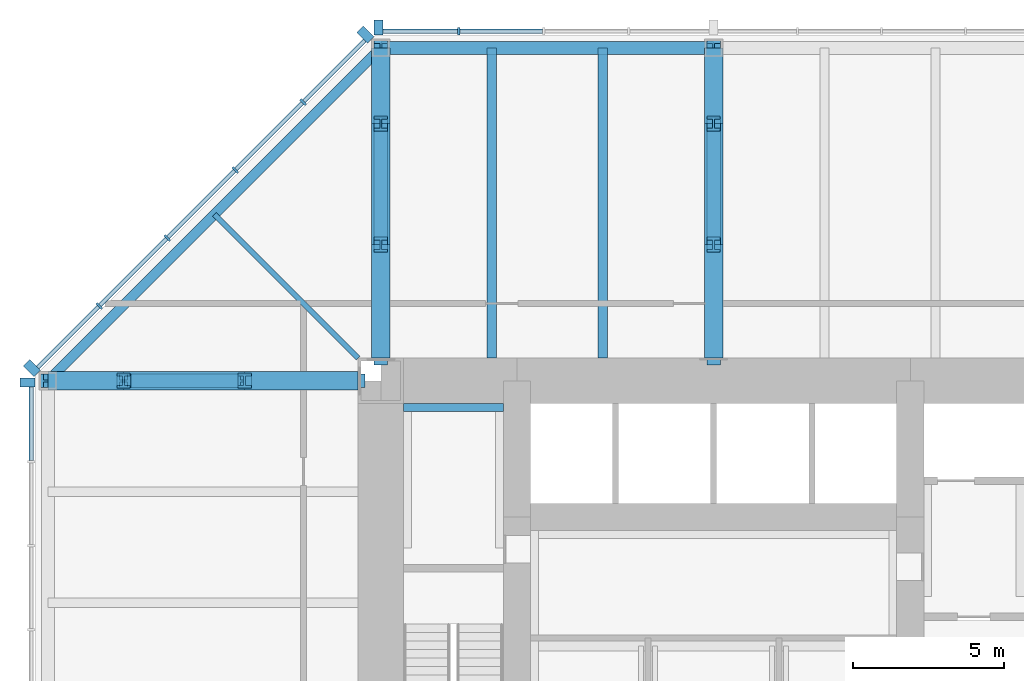
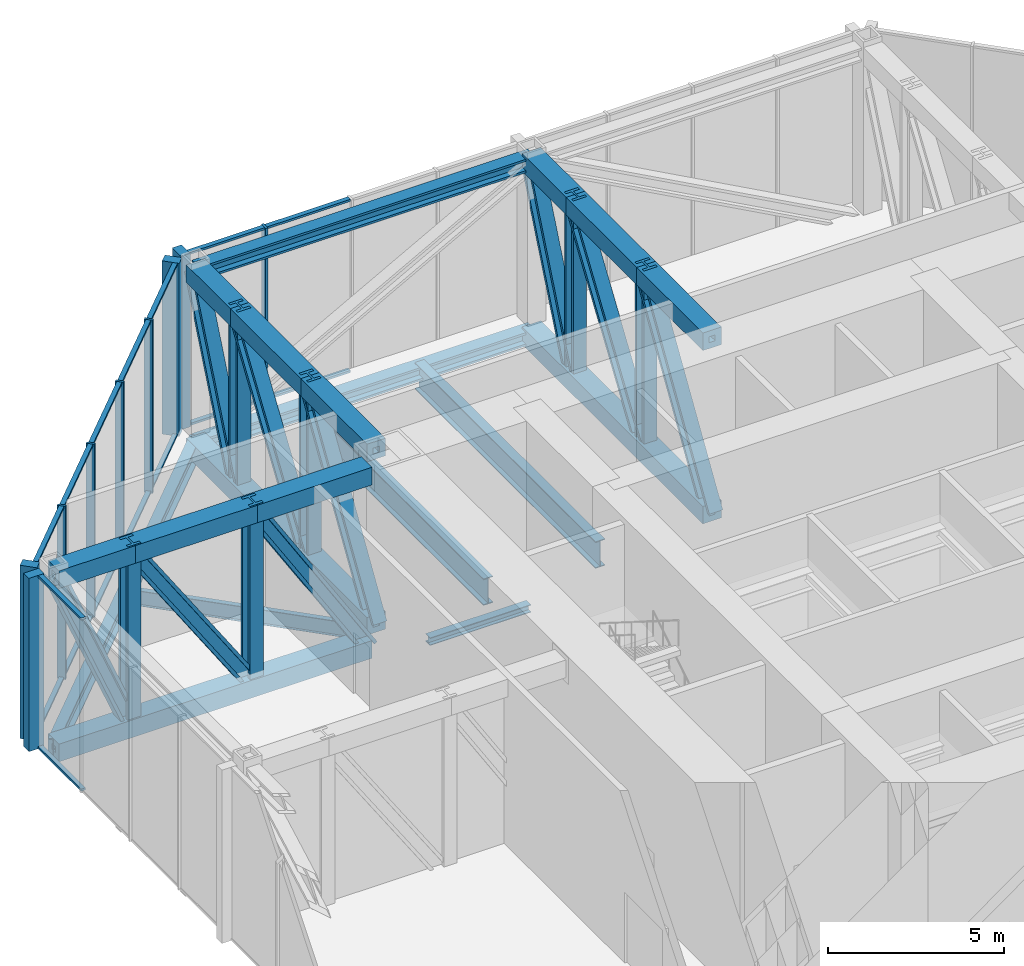
# One storey, part 6 of 11: 40 members, 19 beams, 3 elements without a shape of their own.
"""IFC4 building model written with IfcOpenShell, lengths in metres."""

from ifc_helpers import new_model, si_unit, direction, frame, origin, origin_2d, place, context, subcontext, project, spatial, rectangle, hollow_rectangle, i_section, extrude, material, material_profile, profile_set, type_object, element, aggregate, save


model = new_model("IFC4")

# Units and contexts
model_context = context("Model", 3, precision=1e-05, world=origin(), true_north=direction((0.0, 1.0)))
body_context = subcontext(model_context, "Body", "Model", "MODEL_VIEW")
ifc_project = project(units=[si_unit("LENGTHUNIT", "METRE"), si_unit("AREAUNIT", "SQUARE_METRE"), si_unit("VOLUMEUNIT", "CUBIC_METRE"), si_unit("PLANEANGLEUNIT", "RADIAN"), si_unit("MASSUNIT", "GRAM", prefix="KILO")], contexts=[model_context])

# Site, building, storey
site_placement = place(None, origin())
site = spatial("IfcSite", under=ifc_project, at=site_placement, CompositionType="ELEMENT")
building_placement = place(site_placement, origin())
building = spatial("IfcBuilding", under=site, at=building_placement, Name="Trevanion Tower", CompositionType="ELEMENT")
storey_placement = place(building_placement, frame((0.0, 0.0, 178.699951171875)))
storey = spatial("IfcBuildingStorey", under=building, at=storey_placement, Name="L42", CompositionType="ELEMENT", Elevation=178.699951171875)

# Beams
ifc_material_1 = material(Name="Steel ASTM A992 Grade 50", Category="steel")
ifc_material_profile_1 = material_profile(ifc_material_1, i_section(OverallWidth=0.1650390625, OverallDepth=0.52587890625, WebThickness=0.0087890625, FlangeThickness=0.011474609375, at=origin_2d()), Name="W21X44")
ifc_profile_set_1 = profile_set([ifc_material_profile_1], Name="Steel ASTM A992 Grade 50")
beam_type_1 = type_object("IfcBeamType", Name="B10 W21X44", PredefinedType="BEAM", material=ifc_profile_set_1)
beam_1_placement = place(storey_placement, frame((-11.75, 11.75, -0.452880859375), z_axis=(-0.707106781187, 0.707106781187, 0.0), x_axis=(-0.707106781187, -0.707106781187, 0.0)))
element("IfcBeam", 1, at=beam_1_placement, inside=storey, type_object=beam_type_1, Name="B10 L42", PredefinedType="BEAM", context=body_context, shape_type="SweptSolid", body=[
    extrude(i_section(OverallWidth=0.1650390625, OverallDepth=0.52587890625, WebThickness=0.0087890625, FlangeThickness=0.011474609375, at=origin_2d()), origin(), (0.0, 0.0, 1.0), 6.717529296875),
])
ifc_material_2 = material(Name="Steel ASTM A992 Grade 50", Category="steel")
ifc_material_profile_2 = material_profile(ifc_material_2, i_section(OverallWidth=0.307373046875, OverallDepth=0.922119140625, WebThickness=0.018310546875, FlangeThickness=0.030029296875, at=origin_2d()), Name="W36X182")
ifc_profile_set_2 = profile_set([ifc_material_profile_2], Name="Steel ASTM A992 Grade 50")
beam_type_2 = type_object("IfcBeamType", Name="B9 W36X182", PredefinedType="BEAM", material=ifc_profile_set_2)
for number, where, z_axis, x_axis, name in (
    (2, (-3.666748046875, 11.75, -0.65087890625), (0.0, 1.0, 0.0), (-1.0, 0.0, 0.0), "B9 L42"),
    (3, (-7.333251953125, 11.75, -0.65087890625), (0.0, 1.0, 0.0), (-1.0, 0.0, 0.0), "B9 L42"),
):
    element("IfcBeam", number, at=place(storey_placement, frame(where, z_axis=z_axis, x_axis=x_axis)), inside=storey, type_object=beam_type_2, Name=name, PredefinedType="BEAM", context=body_context, shape_type="SweptSolid", body=[
        extrude(i_section(OverallWidth=0.307373046875, OverallDepth=0.922119140625, WebThickness=0.018310546875, FlangeThickness=0.030029296875, at=origin_2d()), origin(), (0.0, 0.0, 1.0), 10.25),
    ])
ifc_material_3 = material(Name="Steel ASTM A992 Grade 50", Category="steel")
ifc_material_profile_3 = material_profile(ifc_material_3, i_section(OverallWidth=0.421630859375, OverallDepth=0.46484375, WebThickness=0.044921875, FlangeThickness=0.072509765625, at=origin_2d()), Name="W14X398")
ifc_profile_set_3 = profile_set([ifc_material_profile_3], Name="Steel ASTM A992 Grade 50")
beam_type_3 = type_object("IfcBeamType", Name="BT2-CH W14X398", PredefinedType="BEAM", material=ifc_profile_set_3)
for number, where, z_axis, x_axis, name in (
    (4, (0.0, 22.0, -0.494873046875), (-1.0, 0.0, 0.0), (0.0, -1.0, 0.0), "BT2 belt truss chord"),
    (5, (0.0, 22.0, 5.505126953125), (-1.0, 0.0, 0.0), (0.0, -1.0, 0.0), "BT2 belt truss chord"),
):
    element("IfcBeam", number, at=place(storey_placement, frame(where, z_axis=z_axis, x_axis=x_axis)), inside=storey, type_object=beam_type_3, Name=name, PredefinedType="BEAM", context=body_context, shape_type="SweptSolid", body=[
        extrude(i_section(OverallWidth=0.421630859375, OverallDepth=0.46484375, WebThickness=0.044921875, FlangeThickness=0.072509765625, at=origin_2d()), origin(), (0.0, 0.0, 1.0), 11.0),
    ])

# Curtain wall, member
ifc_material_4 = material(Name="Aluminium louvres", Category="aluminium")
curtain_wall_type = type_object("IfcCurtainWallType", Name="CWL curtain wall", PredefinedType="USERDEFINED", material=ifc_material_4)
curtain_wall_1_placement = place(storey_placement, origin())
curtain_wall_1 = element("IfcCurtainWall", 6, at=curtain_wall_1_placement, inside=storey, type_object=curtain_wall_type, Name="CWL L42 2", ObjectType="LOUVRE SCREEN", PredefinedType="USERDEFINED")
ifc_material_5 = material(Name="Aluminium extrusion, anodised bronze", Category="aluminium")
ifc_material_profile_4 = material_profile(ifc_material_5, rectangle(XDim=0.074951171875, YDim=0.25, at=origin_2d()), Name="CWL mullion")
ifc_profile_set_4 = profile_set([ifc_material_profile_4], Name="Aluminium extrusion, anodised bronze")
member_type_1 = type_object("IfcMemberType", Name="CWL mullion", PredefinedType="MULLION", material=ifc_profile_set_4)
member_1_placement = place(storey_placement, frame((-8.4208984375, 22.550048828125, -0.18994140625), z_axis=(0.0, 0.0, 1.0), x_axis=(-1.0, 0.0, 0.0)))
member_1 = element("IfcMember", 7, at=member_1_placement, type_object=member_type_1, Name="CWL mullion 8", PredefinedType="MULLION", context=body_context, shape_type="SweptSolid", body=[
    extrude(rectangle(XDim=0.074951171875, YDim=0.25, at=origin_2d()), origin(), (0.0, 0.0, 1.0), 6.0),
])

# Curtain wall, members
curtain_wall_2_placement = place(storey_placement, origin())
curtain_wall_2 = element("IfcCurtainWall", 8, at=curtain_wall_2_placement, inside=storey, type_object=curtain_wall_type, Name="CWL L42 3", ObjectType="LOUVRE SCREEN", PredefinedType="USERDEFINED")
member_2_placement = place(storey_placement, frame((-13.56591796875, 20.2119140625, -0.18994140625), z_axis=(0.0, 0.0, 1.0), x_axis=(-0.707106781187, -0.707106781187, 0.0)))
member_2 = element("IfcMember", 9, at=member_2_placement, type_object=member_type_1, Name="CWL mullion 2", PredefinedType="MULLION", context=body_context, shape_type="SweptSolid", body=[
    extrude(rectangle(XDim=0.074951171875, YDim=0.25, at=origin_2d()), origin(), (0.0, 0.0, 1.0), 6.0),
])
member_3_placement = place(storey_placement, frame((-15.811767578125, 17.966064453125, -0.18994140625), z_axis=(0.0, 0.0, 1.0), x_axis=(-0.707106781187, -0.707106781187, 0.0)))
member_3 = element("IfcMember", 10, at=member_3_placement, type_object=member_type_1, Name="CWL mullion 3", PredefinedType="MULLION", context=body_context, shape_type="SweptSolid", body=[
    extrude(rectangle(XDim=0.074951171875, YDim=0.25, at=origin_2d()), origin(), (0.0, 0.0, 1.0), 6.0),
])
member_4_placement = place(storey_placement, frame((-18.057861328125, 15.719970703125, -0.18994140625), z_axis=(0.0, 0.0, 1.0), x_axis=(-0.707106781187, -0.707106781187, 0.0)))
member_4 = element("IfcMember", 11, at=member_4_placement, type_object=member_type_1, Name="CWL mullion 4", PredefinedType="MULLION", context=body_context, shape_type="SweptSolid", body=[
    extrude(rectangle(XDim=0.074951171875, YDim=0.25, at=origin_2d()), origin(), (0.0, 0.0, 1.0), 6.0),
])
member_5_placement = place(storey_placement, frame((-20.303955078125, 13.473876953125, -0.18994140625), z_axis=(0.0, 0.0, 1.0), x_axis=(-0.707106781187, -0.707106781187, 0.0)))
member_5 = element("IfcMember", 12, at=member_5_placement, type_object=member_type_1, Name="CWL mullion 5", PredefinedType="MULLION", context=body_context, shape_type="SweptSolid", body=[
    extrude(rectangle(XDim=0.074951171875, YDim=0.25, at=origin_2d()), origin(), (0.0, 0.0, 1.0), 6.0),
])

# Member
ifc_material_6 = material(Name="Aluminium extrusion, anodised bronze", Category="aluminium")
ifc_material_profile_5 = material_profile(ifc_material_6, rectangle(XDim=0.300048828125, YDim=0.5, at=origin_2d()), Name="CWL pier mullion")
ifc_profile_set_5 = profile_set([ifc_material_profile_5], Name="Aluminium extrusion, anodised bronze")
member_type_2 = type_object("IfcMemberType", Name="CWL pier mullion", PredefinedType="MULLION", material=ifc_profile_set_5)
member_6_placement = place(storey_placement, frame((-11.077880859375, 22.675048828125, -0.18994140625), z_axis=(0.0, 0.0, 1.0), x_axis=(-1.0, 0.0, 0.0)))
member_6 = element("IfcMember", 13, at=member_6_placement, type_object=member_type_2, Name="CWL pier mullion 9", PredefinedType="MULLION", context=body_context, shape_type="SweptSolid", body=[
    extrude(rectangle(XDim=0.300048828125, YDim=0.5, at=origin_2d()), origin(), (0.0, 0.0, 1.0), 6.0),
])

member_7_placement = place(storey_placement, frame((-11.51416015625, 22.4404296875, -0.18994140625), z_axis=(0.0, 0.0, 1.0), x_axis=(-0.707106781187, -0.707106781187, 0.0)))
member_7 = element("IfcMember", 14, at=member_7_placement, type_object=member_type_2, Name="CWL pier mullion 1", PredefinedType="MULLION", context=body_context, shape_type="SweptSolid", body=[
    extrude(rectangle(XDim=0.300048828125, YDim=0.5, at=origin_2d()), origin(), (0.0, 0.0, 1.0), 6.0),
])

member_8_placement = place(storey_placement, frame((-22.5322265625, 11.42236328125, -0.18994140625), z_axis=(0.0, 0.0, 1.0), x_axis=(-0.707106781187, -0.707106781187, 0.0)))
member_8 = element("IfcMember", 15, at=member_8_placement, type_object=member_type_2, Name="CWL pier mullion 6", PredefinedType="MULLION", context=body_context, shape_type="SweptSolid", body=[
    extrude(rectangle(XDim=0.300048828125, YDim=0.5, at=origin_2d()), origin(), (0.0, 0.0, 1.0), 6.0),
])

# Curtain wall, member
curtain_wall_3_placement = place(storey_placement, origin())
curtain_wall_3 = element("IfcCurtainWall", 16, at=curtain_wall_3_placement, inside=storey, type_object=curtain_wall_type, Name="CWL L42 4", ObjectType="LOUVRE SCREEN", PredefinedType="USERDEFINED")
member_9_placement = place(storey_placement, frame((-22.675048828125, 10.94775390625, -0.18994140625), z_axis=(0.0, 0.0, 1.0), x_axis=(0.0, -1.0, 0.0)))
member_9 = element("IfcMember", 17, at=member_9_placement, type_object=member_type_2, Name="CWL pier mullion 1", PredefinedType="MULLION", context=body_context, shape_type="SweptSolid", body=[
    extrude(rectangle(XDim=0.300048828125, YDim=0.5, at=origin_2d()), origin(), (0.0, 0.0, 1.0), 6.0),
])

# Member
ifc_material_7 = material(Name="Aluminium extrusion, anodised bronze", Category="aluminium")
ifc_material_profile_6 = material_profile(ifc_material_7, rectangle(XDim=0.14990234375, YDim=0.074951171875, at=origin_2d()), Name="CWL transom")
ifc_profile_set_6 = profile_set([ifc_material_profile_6], Name="Aluminium extrusion, anodised bronze")
member_type_3 = type_object("IfcMemberType", Name="CWL transom", PredefinedType="USERDEFINED", material=ifc_profile_set_6)
member_10_placement = place(storey_placement, frame((-5.6513671875, 22.550048828125, -0.15234375), z_axis=(-1.0, 0.0, 0.0), x_axis=(0.0, -1.0, 0.0)))
member_10 = element("IfcMember", 18, at=member_10_placement, type_object=member_type_3, Name="CWL transom 7.1", ObjectType="TRANSOM", PredefinedType="USERDEFINED", context=body_context, shape_type="SweptSolid", body=[
    extrude(rectangle(XDim=0.14990234375, YDim=0.074951171875, at=origin_2d()), origin(), (0.0, 0.0, 1.0), 2.73193359375),
])

member_11_placement = place(storey_placement, frame((-5.6513671875, 22.550048828125, 5.7724609375), z_axis=(-1.0, 0.0, 0.0), x_axis=(0.0, -1.0, 0.0)))
member_11 = element("IfcMember", 19, at=member_11_placement, type_object=member_type_3, Name="CWL transom 7.2", ObjectType="TRANSOM", PredefinedType="USERDEFINED", context=body_context, shape_type="SweptSolid", body=[
    extrude(rectangle(XDim=0.14990234375, YDim=0.074951171875, at=origin_2d()), origin(), (0.0, 0.0, 1.0), 2.73193359375),
])

member_12_placement = place(storey_placement, frame((-8.45849609375, 22.550048828125, -0.15234375), z_axis=(-1.0, 0.0, 0.0), x_axis=(0.0, -1.0, 0.0)))
member_12 = element("IfcMember", 20, at=member_12_placement, type_object=member_type_3, Name="CWL transom 8.1", ObjectType="TRANSOM", PredefinedType="USERDEFINED", context=body_context, shape_type="SweptSolid", body=[
    extrude(rectangle(XDim=0.14990234375, YDim=0.074951171875, at=origin_2d()), origin(), (0.0, 0.0, 1.0), 2.46923828125),
])

member_13_placement = place(storey_placement, frame((-8.45849609375, 22.550048828125, 5.7724609375), z_axis=(-1.0, 0.0, 0.0), x_axis=(0.0, -1.0, 0.0)))
member_13 = element("IfcMember", 21, at=member_13_placement, type_object=member_type_3, Name="CWL transom 8.2", ObjectType="TRANSOM", PredefinedType="USERDEFINED", context=body_context, shape_type="SweptSolid", body=[
    extrude(rectangle(XDim=0.14990234375, YDim=0.074951171875, at=origin_2d()), origin(), (0.0, 0.0, 1.0), 2.46923828125),
])

aggregate(curtain_wall_1, [member_1, member_6, member_10, member_11, member_12, member_13])

member_14_placement = place(storey_placement, frame((-11.531982421875, 22.245849609375, -0.15234375), z_axis=(-0.707106781187, -0.707106781187, 0.0), x_axis=(0.707106781187, -0.707106781187, 0.0)))
member_14 = element("IfcMember", 22, at=member_14_placement, type_object=member_type_3, Name="CWL transom 1.1", ObjectType="TRANSOM", PredefinedType="USERDEFINED", context=body_context, shape_type="SweptSolid", body=[
    extrude(rectangle(XDim=0.14990234375, YDim=0.074951171875, at=origin_2d()), origin(), (0.0, 0.0, 1.0), 2.8388671875),
])

member_15_placement = place(storey_placement, frame((-11.531982421875, 22.245849609375, 5.7724609375), z_axis=(-0.707106781187, -0.707106781187, 0.0), x_axis=(0.707106781187, -0.707106781187, 0.0)))
member_15 = element("IfcMember", 23, at=member_15_placement, type_object=member_type_3, Name="CWL transom 1.2", ObjectType="TRANSOM", PredefinedType="USERDEFINED", context=body_context, shape_type="SweptSolid", body=[
    extrude(rectangle(XDim=0.14990234375, YDim=0.074951171875, at=origin_2d()), origin(), (0.0, 0.0, 1.0), 2.8388671875),
])

member_16_placement = place(storey_placement, frame((-13.59228515625, 20.185546875, -0.15234375), z_axis=(-0.707106781187, -0.707106781187, 0.0), x_axis=(0.707106781187, -0.707106781187, 0.0)))
member_16 = element("IfcMember", 24, at=member_16_placement, type_object=member_type_3, Name="CWL transom 2.1", ObjectType="TRANSOM", PredefinedType="USERDEFINED", context=body_context, shape_type="SweptSolid", body=[
    extrude(rectangle(XDim=0.14990234375, YDim=0.074951171875, at=origin_2d()), origin(), (0.0, 0.0, 1.0), 3.1015625),
])

member_17_placement = place(storey_placement, frame((-13.59228515625, 20.185546875, 5.7724609375), z_axis=(-0.707106781187, -0.707106781187, 0.0), x_axis=(0.707106781187, -0.707106781187, 0.0)))
member_17 = element("IfcMember", 25, at=member_17_placement, type_object=member_type_3, Name="CWL transom 2.2", ObjectType="TRANSOM", PredefinedType="USERDEFINED", context=body_context, shape_type="SweptSolid", body=[
    extrude(rectangle(XDim=0.14990234375, YDim=0.074951171875, at=origin_2d()), origin(), (0.0, 0.0, 1.0), 3.1015625),
])

member_18_placement = place(storey_placement, frame((-15.83837890625, 17.939453125, -0.15234375), z_axis=(-0.707106781187, -0.707106781187, 0.0), x_axis=(0.707106781187, -0.707106781187, 0.0)))
member_18 = element("IfcMember", 26, at=member_18_placement, type_object=member_type_3, Name="CWL transom 3.1", ObjectType="TRANSOM", PredefinedType="USERDEFINED", context=body_context, shape_type="SweptSolid", body=[
    extrude(rectangle(XDim=0.14990234375, YDim=0.074951171875, at=origin_2d()), origin(), (0.0, 0.0, 1.0), 3.1015625),
])

member_19_placement = place(storey_placement, frame((-15.83837890625, 17.939453125, 5.7724609375), z_axis=(-0.707106781187, -0.707106781187, 0.0), x_axis=(0.707106781187, -0.707106781187, 0.0)))
member_19 = element("IfcMember", 27, at=member_19_placement, type_object=member_type_3, Name="CWL transom 3.2", ObjectType="TRANSOM", PredefinedType="USERDEFINED", context=body_context, shape_type="SweptSolid", body=[
    extrude(rectangle(XDim=0.14990234375, YDim=0.074951171875, at=origin_2d()), origin(), (0.0, 0.0, 1.0), 3.1015625),
])

member_20_placement = place(storey_placement, frame((-18.08447265625, 15.693359375, -0.15234375), z_axis=(-0.707106781187, -0.707106781187, 0.0), x_axis=(0.707106781187, -0.707106781187, 0.0)))
member_20 = element("IfcMember", 28, at=member_20_placement, type_object=member_type_3, Name="CWL transom 4.1", ObjectType="TRANSOM", PredefinedType="USERDEFINED", context=body_context, shape_type="SweptSolid", body=[
    extrude(rectangle(XDim=0.14990234375, YDim=0.074951171875, at=origin_2d()), origin(), (0.0, 0.0, 1.0), 3.10107421875),
])

member_21_placement = place(storey_placement, frame((-18.08447265625, 15.693359375, 5.7724609375), z_axis=(-0.707106781187, -0.707106781187, 0.0), x_axis=(0.707106781187, -0.707106781187, 0.0)))
member_21 = element("IfcMember", 29, at=member_21_placement, type_object=member_type_3, Name="CWL transom 4.2", ObjectType="TRANSOM", PredefinedType="USERDEFINED", context=body_context, shape_type="SweptSolid", body=[
    extrude(rectangle(XDim=0.14990234375, YDim=0.074951171875, at=origin_2d()), origin(), (0.0, 0.0, 1.0), 3.10107421875),
])

member_22_placement = place(storey_placement, frame((-20.33056640625, 13.447509765625, -0.15234375), z_axis=(-0.707063781595, -0.707149778163, 0.0), x_axis=(0.707149778163, -0.707063781595, 0.0)))
member_22 = element("IfcMember", 30, at=member_22_placement, type_object=member_type_3, Name="CWL transom 5.1", ObjectType="TRANSOM", PredefinedType="USERDEFINED", context=body_context, shape_type="SweptSolid", body=[
    extrude(rectangle(XDim=0.14990234375, YDim=0.074951171875, at=origin_2d()), origin(), (0.0, 0.0, 1.0), 2.8388671875),
])

member_23_placement = place(storey_placement, frame((-20.33056640625, 13.447509765625, 5.7724609375), z_axis=(-0.707063781595, -0.707149778163, 0.0), x_axis=(0.707149778163, -0.707063781595, 0.0)))
member_23 = element("IfcMember", 31, at=member_23_placement, type_object=member_type_3, Name="CWL transom 5.2", ObjectType="TRANSOM", PredefinedType="USERDEFINED", context=body_context, shape_type="SweptSolid", body=[
    extrude(rectangle(XDim=0.14990234375, YDim=0.074951171875, at=origin_2d()), origin(), (0.0, 0.0, 1.0), 2.8388671875),
])

aggregate(curtain_wall_2, [member_7, member_2, member_3, member_4, member_5, member_8, member_14, member_15, member_16, member_17, member_18, member_19, member_20, member_21, member_22, member_23])

member_24_placement = place(storey_placement, frame((-22.550048828125, 10.7978515625, -0.15234375), z_axis=(0.0, -1.0, 0.0), x_axis=(1.0, 0.0, 0.0)))
member_24 = element("IfcMember", 32, at=member_24_placement, type_object=member_type_3, Name="CWL transom 1.1", ObjectType="TRANSOM", PredefinedType="USERDEFINED", context=body_context, shape_type="SweptSolid", body=[
    extrude(rectangle(XDim=0.14990234375, YDim=0.074951171875, at=origin_2d()), origin(), (0.0, 0.0, 1.0), 2.43701171875),
])

member_25_placement = place(storey_placement, frame((-22.550048828125, 10.7978515625, 5.7724609375), z_axis=(0.0, -1.0, 0.0), x_axis=(1.0, 0.0, 0.0)))
member_25 = element("IfcMember", 33, at=member_25_placement, type_object=member_type_3, Name="CWL transom 1.2", ObjectType="TRANSOM", PredefinedType="USERDEFINED", context=body_context, shape_type="SweptSolid", body=[
    extrude(rectangle(XDim=0.14990234375, YDim=0.074951171875, at=origin_2d()), origin(), (0.0, 0.0, 1.0), 2.43701171875),
])

aggregate(curtain_wall_3, [member_9, member_24, member_25])

# Beams
ifc_material_8 = material(Name="Steel ASTM A992 Grade 50", Category="steel")
ifc_material_profile_7 = material_profile(ifc_material_8, i_section(OverallWidth=0.256591796875, OverallDepth=0.26416015625, WebThickness=0.011962890625, FlangeThickness=0.01953125, at=origin_2d()), Name="W10X68")
ifc_profile_set_7 = profile_set([ifc_material_profile_7], Name="Steel ASTM A992 Grade 50")
beam_type_4 = type_object("IfcBeamType", Name="LB1 W10X68", PredefinedType="BEAM", material=ifc_profile_set_7)
beam_2_placement = place(storey_placement, frame((-10.25, 10.12158203125, -0.33203125), z_axis=(1.0, 0.0, 0.0), x_axis=(0.0, 1.0, 0.0)))
element("IfcBeam", 34, at=beam_2_placement, inside=storey, type_object=beam_type_4, Name="LB1 L42", PredefinedType="BEAM", context=body_context, shape_type="SweptSolid", body=[
    extrude(i_section(OverallWidth=0.256591796875, OverallDepth=0.26416015625, WebThickness=0.011962890625, FlangeThickness=0.01953125, at=origin_2d()), origin(), (0.0, 0.0, 1.0), 3.300048828125),
])
ifc_material_9 = material(Name="Steel ASTM A588 Grade 50", Category="steel")
ifc_material_profile_8 = material_profile(ifc_material_9, hollow_rectangle(XDim=0.609619140625, YDim=0.609619140625, WallThickness=0.203125, at=origin_2d()), Name="BOX24X24X8")
ifc_profile_set_8 = profile_set([ifc_material_profile_8], Name="Steel ASTM A588 Grade 50")
beam_type_5 = type_object("IfcBeamType", Name="OT2-CH BOX24X24X8", PredefinedType="BEAM", material=ifc_profile_set_8)
beam_3_placement = place(storey_placement, frame((-11.75, 11.0, -0.494873046875), z_axis=(-1.0, 0.0, 0.0), x_axis=(0.0, -1.0, 0.0)))
element("IfcBeam", 35, at=beam_3_placement, inside=storey, type_object=beam_type_5, Name="OT2 4/K outrigger and transfer truss chord", PredefinedType="BEAM", context=body_context, shape_type="SweptSolid", body=[
    extrude(hollow_rectangle(XDim=0.609619140625, YDim=0.609619140625, WallThickness=0.203125, at=origin_2d()), origin(), (0.0, 0.0, 1.0), 10.25),
])
beam_4_placement = place(storey_placement, frame((-11.75, 11.0, 5.505126953125), z_axis=(-1.0, 0.0, 0.0), x_axis=(0.0, -1.0, 0.0)))
element("IfcBeam", 36, at=beam_4_placement, inside=storey, type_object=beam_type_5, Name="OT2 4/K outrigger and transfer truss chord", PredefinedType="BEAM", context=body_context, shape_type="SweptSolid", body=[
    extrude(hollow_rectangle(XDim=0.609619140625, YDim=0.609619140625, WallThickness=0.203125, at=origin_2d()), origin(), (0.0, 0.0, 1.0), 3.75),
])
beam_5_placement = place(storey_placement, frame((-15.5, 11.0, 5.505126953125), z_axis=(-1.0, 0.0, 0.0), x_axis=(0.0, -1.0, 0.0)))
element("IfcBeam", 37, at=beam_5_placement, inside=storey, type_object=beam_type_5, Name="OT2 4/K outrigger and transfer truss chord", PredefinedType="BEAM", context=body_context, shape_type="SweptSolid", body=[
    extrude(hollow_rectangle(XDim=0.609619140625, YDim=0.609619140625, WallThickness=0.203125, at=origin_2d()), origin(), (0.0, 0.0, 1.0), 4.0),
])
beam_6_placement = place(storey_placement, frame((-19.5, 11.0, 5.505126953125), z_axis=(-1.0, 0.0, 0.0), x_axis=(0.0, -1.0, 0.0)))
element("IfcBeam", 38, at=beam_6_placement, inside=storey, type_object=beam_type_5, Name="OT2 4/K outrigger and transfer truss chord", PredefinedType="BEAM", context=body_context, shape_type="SweptSolid", body=[
    extrude(hollow_rectangle(XDim=0.609619140625, YDim=0.609619140625, WallThickness=0.203125, at=origin_2d()), origin(), (0.0, 0.0, 1.0), 2.5),
])
beam_7_placement = place(storey_placement, frame((0.0, 11.75, -0.494873046875), z_axis=(0.0, 1.0, 0.0), x_axis=(-1.0, 0.0, 0.0)))
element("IfcBeam", 39, at=beam_7_placement, inside=storey, type_object=beam_type_5, Name="OT2 10/P outrigger and transfer truss chord", PredefinedType="BEAM", context=body_context, shape_type="SweptSolid", body=[
    extrude(hollow_rectangle(XDim=0.609619140625, YDim=0.609619140625, WallThickness=0.203125, at=origin_2d()), origin(), (0.0, 0.0, 1.0), 10.25),
])
beam_8_placement = place(storey_placement, frame((0.0, 11.75, 5.505126953125), z_axis=(0.0, 1.0, 0.0), x_axis=(-1.0, 0.0, 0.0)))
element("IfcBeam", 40, at=beam_8_placement, inside=storey, type_object=beam_type_5, Name="OT2 10/P outrigger and transfer truss chord", PredefinedType="BEAM", context=body_context, shape_type="SweptSolid", body=[
    extrude(hollow_rectangle(XDim=0.609619140625, YDim=0.609619140625, WallThickness=0.203125, at=origin_2d()), origin(), (0.0, 0.0, 1.0), 3.75),
])
beam_9_placement = place(storey_placement, frame((0.0, 15.5, 5.505126953125), z_axis=(0.0, 1.0, 0.0), x_axis=(-1.0, 0.0, 0.0)))
element("IfcBeam", 41, at=beam_9_placement, inside=storey, type_object=beam_type_5, Name="OT2 10/P outrigger and transfer truss chord", PredefinedType="BEAM", context=body_context, shape_type="SweptSolid", body=[
    extrude(hollow_rectangle(XDim=0.609619140625, YDim=0.609619140625, WallThickness=0.203125, at=origin_2d()), origin(), (0.0, 0.0, 1.0), 4.0),
])
beam_10_placement = place(storey_placement, frame((0.0, 19.5, 5.505126953125), z_axis=(0.0, 1.0, 0.0), x_axis=(-1.0, 0.0, 0.0)))
element("IfcBeam", 42, at=beam_10_placement, inside=storey, type_object=beam_type_5, Name="OT2 10/P outrigger and transfer truss chord", PredefinedType="BEAM", context=body_context, shape_type="SweptSolid", body=[
    extrude(hollow_rectangle(XDim=0.609619140625, YDim=0.609619140625, WallThickness=0.203125, at=origin_2d()), origin(), (0.0, 0.0, 1.0), 2.5),
])
beam_11_placement = place(storey_placement, frame((-11.0, 11.75, -0.494873046875), z_axis=(0.0, 1.0, 0.0), x_axis=(-1.0, 0.0, 0.0)))
element("IfcBeam", 43, at=beam_11_placement, inside=storey, type_object=beam_type_5, Name="OT2 8/P outrigger and transfer truss chord", PredefinedType="BEAM", context=body_context, shape_type="SweptSolid", body=[
    extrude(hollow_rectangle(XDim=0.609619140625, YDim=0.609619140625, WallThickness=0.203125, at=origin_2d()), origin(), (0.0, 0.0, 1.0), 10.25),
])
beam_12_placement = place(storey_placement, frame((-11.0, 11.75, 5.505126953125), z_axis=(0.0, 1.0, 0.0), x_axis=(-1.0, 0.0, 0.0)))
element("IfcBeam", 44, at=beam_12_placement, inside=storey, type_object=beam_type_5, Name="OT2 8/P outrigger and transfer truss chord", PredefinedType="BEAM", context=body_context, shape_type="SweptSolid", body=[
    extrude(hollow_rectangle(XDim=0.609619140625, YDim=0.609619140625, WallThickness=0.203125, at=origin_2d()), origin(), (0.0, 0.0, 1.0), 3.75),
])
beam_13_placement = place(storey_placement, frame((-11.0, 15.5, 5.505126953125), z_axis=(0.0, 1.0, 0.0), x_axis=(-1.0, 0.0, 0.0)))
element("IfcBeam", 45, at=beam_13_placement, inside=storey, type_object=beam_type_5, Name="OT2 8/P outrigger and transfer truss chord", PredefinedType="BEAM", context=body_context, shape_type="SweptSolid", body=[
    extrude(hollow_rectangle(XDim=0.609619140625, YDim=0.609619140625, WallThickness=0.203125, at=origin_2d()), origin(), (0.0, 0.0, 1.0), 4.0),
])
beam_14_placement = place(storey_placement, frame((-11.0, 19.5, 5.505126953125), z_axis=(0.0, 1.0, 0.0), x_axis=(-1.0, 0.0, 0.0)))
element("IfcBeam", 46, at=beam_14_placement, inside=storey, type_object=beam_type_5, Name="OT2 8/P outrigger and transfer truss chord", PredefinedType="BEAM", context=body_context, shape_type="SweptSolid", body=[
    extrude(hollow_rectangle(XDim=0.609619140625, YDim=0.609619140625, WallThickness=0.203125, at=origin_2d()), origin(), (0.0, 0.0, 1.0), 2.5),
])

# Members
ifc_material_10 = material(Name="Steel ASTM A992 Grade 50", Category="steel")
ifc_material_profile_9 = material_profile(ifc_material_10, i_section(OverallWidth=0.44189453125, OverallDepth=0.53076171875, WebThickness=0.06591796875, FlangeThickness=0.105712890625, at=origin_2d()), Name="W14X605")
ifc_profile_set_9 = profile_set([ifc_material_profile_9], Name="Steel ASTM A992 Grade 50")
member_type_4 = type_object("IfcMemberType", Name="OT2-D W14X605", PredefinedType="BRACE", material=ifc_profile_set_9)
member_26_placement = place(storey_placement, frame((-11.75, 11.0, -0.494873046875), z_axis=(-0.529998940003, 0.0, 0.847998304005), x_axis=(0.0, -1.0, 0.0)))
element("IfcMember", 47, at=member_26_placement, inside=storey, type_object=member_type_4, Name="OT2 4/K outrigger and transfer truss diagonal", PredefinedType="BRACE", context=body_context, shape_type="SweptSolid", body=[
    extrude(i_section(OverallWidth=0.44189453125, OverallDepth=0.53076171875, WebThickness=0.06591796875, FlangeThickness=0.105712890625, at=origin_2d()), origin(), (0.0, 0.0, 1.0), 7.075439453125),
])
member_27_placement = place(storey_placement, frame((-15.5, 11.0, -0.494873046875), z_axis=(-0.554700196225, 0.0, 0.832050294338), x_axis=(0.0, -1.0, 0.0)))
element("IfcMember", 48, at=member_27_placement, inside=storey, type_object=member_type_4, Name="OT2 4/K outrigger and transfer truss diagonal", PredefinedType="BRACE", context=body_context, shape_type="SweptSolid", body=[
    extrude(i_section(OverallWidth=0.44189453125, OverallDepth=0.53076171875, WebThickness=0.06591796875, FlangeThickness=0.105712890625, at=origin_2d()), origin(), (0.0, 0.0, 1.0), 7.211181640625),
])
member_28_placement = place(storey_placement, frame((-19.5, 11.0, -0.494873046875), z_axis=(-0.384615384615, 0.0, 0.923076923077), x_axis=(0.0, -1.0, 0.0)))
element("IfcMember", 49, at=member_28_placement, inside=storey, type_object=member_type_4, Name="OT2 4/K outrigger and transfer truss diagonal", PredefinedType="BRACE", context=body_context, shape_type="SweptSolid", body=[
    extrude(i_section(OverallWidth=0.44189453125, OverallDepth=0.53076171875, WebThickness=0.06591796875, FlangeThickness=0.105712890625, at=origin_2d()), origin(), (0.0, 0.0, 1.0), 6.5),
])
member_29_placement = place(storey_placement, frame((0.0, 11.75, -0.494873046875), z_axis=(0.0, 0.529998940003, 0.847998304005), x_axis=(-1.0, 0.0, 0.0)))
element("IfcMember", 50, at=member_29_placement, inside=storey, type_object=member_type_4, Name="OT2 10/P outrigger and transfer truss diagonal", PredefinedType="BRACE", context=body_context, shape_type="SweptSolid", body=[
    extrude(i_section(OverallWidth=0.44189453125, OverallDepth=0.53076171875, WebThickness=0.06591796875, FlangeThickness=0.105712890625, at=origin_2d()), origin(), (0.0, 0.0, 1.0), 7.075439453125),
])
member_30_placement = place(storey_placement, frame((0.0, 15.5, -0.494873046875), z_axis=(0.0, 0.554700196225, 0.832050294338), x_axis=(-1.0, 0.0, 0.0)))
element("IfcMember", 51, at=member_30_placement, inside=storey, type_object=member_type_4, Name="OT2 10/P outrigger and transfer truss diagonal", PredefinedType="BRACE", context=body_context, shape_type="SweptSolid", body=[
    extrude(i_section(OverallWidth=0.44189453125, OverallDepth=0.53076171875, WebThickness=0.06591796875, FlangeThickness=0.105712890625, at=origin_2d()), origin(), (0.0, 0.0, 1.0), 7.211181640625),
])
member_31_placement = place(storey_placement, frame((0.0, 19.5, -0.494873046875), z_axis=(0.0, 0.384615384615, 0.923076923077), x_axis=(-1.0, 0.0, 0.0)))
element("IfcMember", 52, at=member_31_placement, inside=storey, type_object=member_type_4, Name="OT2 10/P outrigger and transfer truss diagonal", PredefinedType="BRACE", context=body_context, shape_type="SweptSolid", body=[
    extrude(i_section(OverallWidth=0.44189453125, OverallDepth=0.53076171875, WebThickness=0.06591796875, FlangeThickness=0.105712890625, at=origin_2d()), origin(), (0.0, 0.0, 1.0), 6.5),
])
member_32_placement = place(storey_placement, frame((-11.0, 11.75, -0.494873046875), z_axis=(0.0, 0.529998940003, 0.847998304005), x_axis=(-1.0, 0.0, 0.0)))
element("IfcMember", 53, at=member_32_placement, inside=storey, type_object=member_type_4, Name="OT2 8/P outrigger and transfer truss diagonal", PredefinedType="BRACE", context=body_context, shape_type="SweptSolid", body=[
    extrude(i_section(OverallWidth=0.44189453125, OverallDepth=0.53076171875, WebThickness=0.06591796875, FlangeThickness=0.105712890625, at=origin_2d()), origin(), (0.0, 0.0, 1.0), 7.075439453125),
])
member_33_placement = place(storey_placement, frame((-11.0, 15.5, -0.494873046875), z_axis=(0.0, 0.554700196225, 0.832050294338), x_axis=(-1.0, 0.0, 0.0)))
element("IfcMember", 54, at=member_33_placement, inside=storey, type_object=member_type_4, Name="OT2 8/P outrigger and transfer truss diagonal", PredefinedType="BRACE", context=body_context, shape_type="SweptSolid", body=[
    extrude(i_section(OverallWidth=0.44189453125, OverallDepth=0.53076171875, WebThickness=0.06591796875, FlangeThickness=0.105712890625, at=origin_2d()), origin(), (0.0, 0.0, 1.0), 7.211181640625),
])
member_34_placement = place(storey_placement, frame((-11.0, 19.5, -0.494873046875), z_axis=(0.0, 0.384615384615, 0.923076923077), x_axis=(-1.0, 0.0, 0.0)))
element("IfcMember", 55, at=member_34_placement, inside=storey, type_object=member_type_4, Name="OT2 8/P outrigger and transfer truss diagonal", PredefinedType="BRACE", context=body_context, shape_type="SweptSolid", body=[
    extrude(i_section(OverallWidth=0.44189453125, OverallDepth=0.53076171875, WebThickness=0.06591796875, FlangeThickness=0.105712890625, at=origin_2d()), origin(), (0.0, 0.0, 1.0), 6.5),
])
ifc_material_11 = material(Name="Steel ASTM A992 Grade 50", Category="steel")
ifc_material_profile_10 = material_profile(ifc_material_11, i_section(OverallWidth=0.436767578125, OverallDepth=0.51318359375, WebThickness=0.060546875, FlangeThickness=0.096923828125, at=origin_2d()), Name="W14X550")
ifc_profile_set_10 = profile_set([ifc_material_profile_10], Name="Steel ASTM A992 Grade 50")
member_type_5 = type_object("IfcMemberType", Name="OT2-V W14X550", PredefinedType="POST", material=ifc_profile_set_10)
for number, where, z_axis, x_axis, name in (
    (56, (-15.5, 11.0, -0.494873046875), (0.0, 0.0, 1.0), (1.0, 0.0, 0.0), "OT2 4/K outrigger and transfer truss vertical"),
    (57, (-19.5, 11.0, -0.494873046875), (0.0, 0.0, 1.0), (1.0, 0.0, 0.0), "OT2 4/K outrigger and transfer truss vertical"),
    (58, (0.0, 15.5, -0.494873046875), (0.0, 0.0, 1.0), (1.0, 0.0, 0.0), "OT2 10/P outrigger and transfer truss vertical"),
    (59, (0.0, 19.5, -0.494873046875), (0.0, 0.0, 1.0), (1.0, 0.0, 0.0), "OT2 10/P outrigger and transfer truss vertical"),
    (60, (-11.0, 15.5, -0.494873046875), (0.0, 0.0, 1.0), (1.0, 0.0, 0.0), "OT2 8/P outrigger and transfer truss vertical"),
    (61, (-11.0, 19.5, -0.494873046875), (0.0, 0.0, 1.0), (1.0, 0.0, 0.0), "OT2 8/P outrigger and transfer truss vertical"),
):
    element("IfcMember", number, at=place(storey_placement, frame(where, z_axis=z_axis, x_axis=x_axis)), inside=storey, type_object=member_type_5, Name=name, PredefinedType="POST", context=body_context, shape_type="SweptSolid", body=[
        extrude(i_section(OverallWidth=0.436767578125, OverallDepth=0.51318359375, WebThickness=0.060546875, FlangeThickness=0.096923828125, at=origin_2d()), origin(), (0.0, 0.0, 1.0), 6.304931640625),
    ])

# Beam
ifc_material_12 = material(Name="Steel ASTM A992 Grade 50", Category="steel")
ifc_material_profile_11 = material_profile(ifc_material_12, i_section(OverallWidth=0.330078125, OverallDepth=0.647705078125, WebThickness=0.0205078125, FlangeThickness=0.037109375, at=origin_2d()), Name="W24X192")
ifc_profile_set_11 = profile_set([ifc_material_profile_11], Name="Steel ASTM A992 Grade 50")
beam_type_6 = type_object("IfcBeamType", Name="SB7 W24X192", PredefinedType="SPANDREL", material=ifc_profile_set_11)
beam_15_placement = place(storey_placement, frame((-11.0, 22.0, -0.513916015625), z_axis=(-0.707106781187, -0.707106781187, 0.0), x_axis=(0.707106781187, -0.707106781187, 0.0)))
element("IfcBeam", 62, at=beam_15_placement, inside=storey, type_object=beam_type_6, Name="SB7 L42", PredefinedType="SPANDREL", context=body_context, shape_type="SweptSolid", body=[
    extrude(i_section(OverallWidth=0.330078125, OverallDepth=0.647705078125, WebThickness=0.0205078125, FlangeThickness=0.037109375, at=origin_2d()), origin(), (0.0, 0.0, 1.0), 15.556396484375),
])

save(model, "model.ifc")
